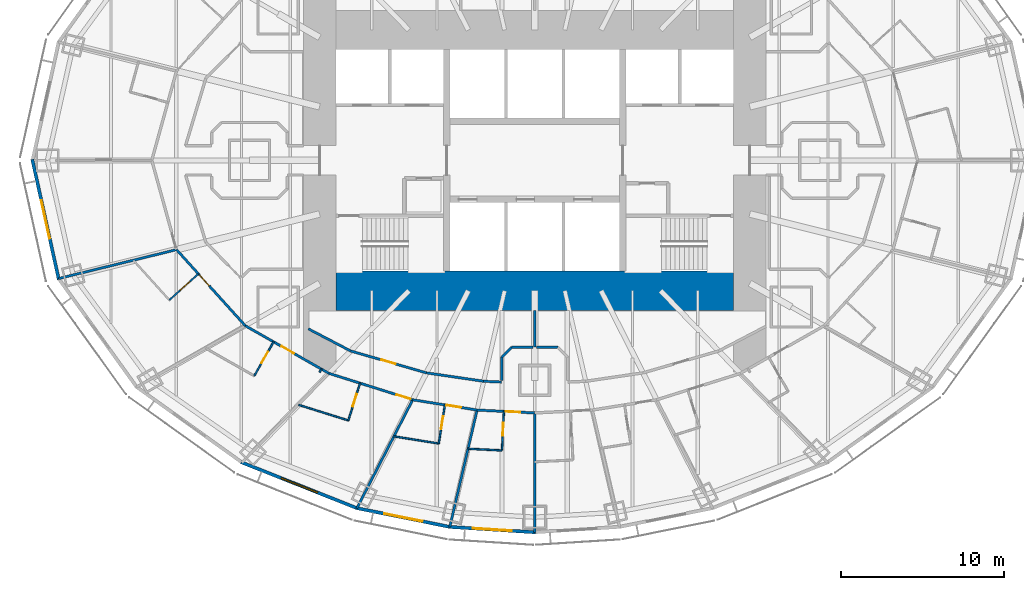
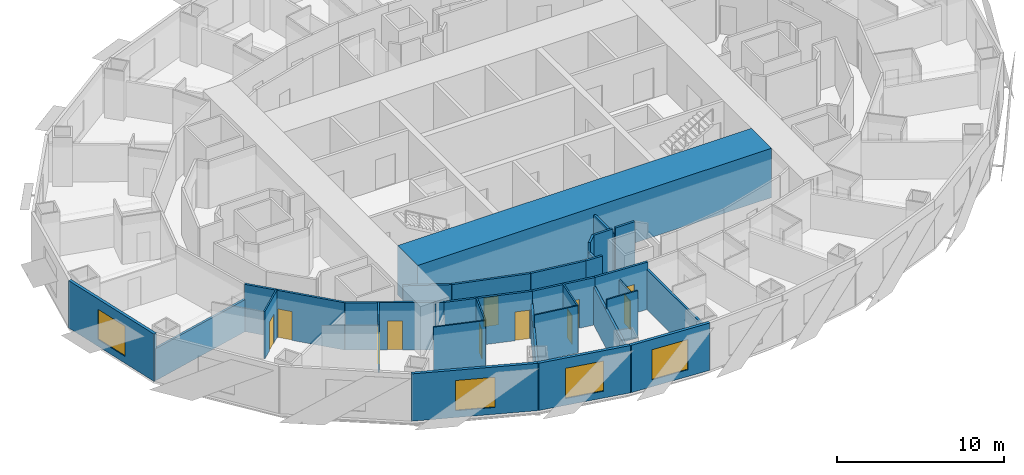
# One storey, part 5 of 17: 32 walls, 11 doors, 4 windows, 15 openings.
"""IFC4 building model written with IfcOpenShell, lengths in metres."""

from ifc_helpers import new_model, si_unit, direction, frame, frame_2d, origin, place, context, subcontext, project, spatial, rectangle, extrude, material, layer, layer_set, type_object, element, fill, save


model = new_model("IFC4")

# Units and contexts
model_context = context("Model", 3, precision=1e-05, world=origin(), true_north=direction((0.0, 1.0)))
body_context = subcontext(model_context, "Body", "Model", "MODEL_VIEW")
ifc_project = project(units=[si_unit("LENGTHUNIT", "METRE"), si_unit("AREAUNIT", "SQUARE_METRE"), si_unit("VOLUMEUNIT", "CUBIC_METRE"), si_unit("PLANEANGLEUNIT", "RADIAN"), si_unit("MASSUNIT", "GRAM", prefix="KILO")], contexts=[model_context])

# Site, building, storey
site_placement = place(None, origin())
site = spatial("IfcSite", under=ifc_project, at=site_placement, CompositionType="ELEMENT")
building_placement = place(site_placement, origin())
building = spatial("IfcBuilding", under=site, at=building_placement, Name="Lantaw Convention Tower", CompositionType="ELEMENT")
storey_placement = place(building_placement, frame((0.0, 0.0, 40.60009765625)))
storey = spatial("IfcBuildingStorey", under=building, at=storey_placement, Name="L07", CompositionType="ELEMENT", Elevation=40.60009765625)

# Walls
ifc_material_1 = material(Name="Gypsum board on steel studs", Category="steel")
ifc_layer_1 = layer(ifc_material_1, 0.14990234375)
ifc_layer_set_1 = layer_set([ifc_layer_1], Name="Back of house wall 150")
wall_type_1 = type_object("IfcWallType", Name="Back of house wall 150", PredefinedType="PARTITIONING", material=ifc_layer_set_1)
wall_1_placement = place(storey_placement, frame((0.0, -9.199951171875, 0.0), z_axis=(0.0, 0.0, 1.0), x_axis=(0.0, -1.0, 0.0)))
element("IfcWall", 1, at=wall_1_placement, inside=storey, type_object=wall_type_1, Name="Back of house wall 150", PredefinedType="PARTITIONING", context=body_context, shape_type="SweptSolid", body=[
    extrude(rectangle(XDim=2.26513671875, YDim=0.14990234375, at=frame_2d((1.132568359375, 0.0))), origin(), (0.0, 0.0, 1.0), 3.04345703125),
])
wall_2_placement = place(storey_placement, frame((-2.02490234375, -13.502685546875, 0.0), z_axis=(0.0, 0.0, 1.0), x_axis=(0.0, 1.0, 0.0)))
element("IfcWall", 2, at=wall_2_placement, inside=storey, type_object=wall_type_1, Name="Back of house wall 150", PredefinedType="PARTITIONING", context=body_context, shape_type="SweptSolid", body=[
    extrude(rectangle(XDim=1.42724609375, YDim=0.14990234375, at=frame_2d((0.713623046875, 0.0))), origin(), (0.0, 0.0, 1.0), 2.748779296875),
])
wall_3_placement = place(storey_placement, frame((-2.02490234375, -12.075439453125, 0.0), z_axis=(0.0, 0.0, 1.0), x_axis=(0.707106781187, 0.707106781187, 0.0)))
element("IfcWall", 3, at=wall_3_placement, inside=storey, type_object=wall_type_1, Name="Back of house wall 150", PredefinedType="PARTITIONING", context=body_context, shape_type="SweptSolid", body=[
    extrude(rectangle(XDim=0.84912109375, YDim=0.14990234375, at=frame_2d((0.424560546875, 0.0))), origin(), (0.0, 0.0, 1.0), 3.449951171875),
])
for number, where, z_axis, x_axis, name in (
    (4, (-1.424560546875, -11.47509765625, 0.0), (0.0, 0.0, 1.0), (1.0, 0.0, 0.0), "Back of house wall 150"),
    (5, (0.103271484375, -11.47509765625, 0.0), (0.0, 0.0, 1.0), (1.0, 0.0, 0.0), "Back of house wall 150"),
):
    element("IfcWall", number, at=place(storey_placement, frame(where, z_axis=z_axis, x_axis=x_axis)), inside=storey, type_object=wall_type_1, Name=name, PredefinedType="PARTITIONING", context=body_context, shape_type="SweptSolid", body=[
        extrude(rectangle(XDim=1.3212890625, YDim=0.14990234375, at=frame_2d((0.66064453125, 0.0))), origin(), (0.0, 0.0, 1.0), 3.449951171875),
    ])

# Wall, opening, door
ifc_material_2 = material(Name="Moisture resistant gypsum board on steel studs", Category="steel")
ifc_layer_2 = layer(ifc_material_2, 0.10009765625)
ifc_layer_set_2 = layer_set([ifc_layer_2], Name="Bathroom wall 100")
wall_type_2 = type_object("IfcWallType", Name="Bathroom wall 100", PredefinedType="PARTITIONING", material=ifc_layer_set_2)
wall_4_placement = place(storey_placement, frame((-20.640625, -6.96435546875, 0.0), z_axis=(0.0, 0.0, 1.0), x_axis=(-0.741861025859, -0.670553665496, 0.0)))
wall_4 = element("IfcWall", 6, at=wall_4_placement, inside=storey, type_object=wall_type_2, Name="Bathroom wall 100", PredefinedType="PARTITIONING", context=body_context, shape_type="SweptSolid", body=[
    extrude(rectangle(XDim=2.400146484375, YDim=0.10009765625, at=frame_2d((1.2001953125, 0.0))), origin(), (0.0, 0.0, 1.0), 3.449951171875),
])
opening_1_placement = place(wall_4_placement, frame((0.699951171875, 0.0, 0.0)))
opening_1 = element("IfcOpeningElement", 7, at=opening_1_placement, cuts=wall_4, Name="Opening L07.50", PredefinedType="OPENING", context=body_context, shape_type="SweptSolid", body=[
    extrude(rectangle(XDim=0.800048828125, YDim=2.10009765625, at=frame_2d((0.39990234375, 1.050048828125))), frame((0.0, 0.06005859375, 0.0), z_axis=(0.0, -1.0, 0.0), x_axis=(1.0, 0.0, 0.0)), (0.0, 0.0, 1.0), 0.1201171875),
])
ifc_material_3 = material(Name="Timber", Category="wood")
door_type_1 = type_object("IfcDoorType", Name="Bathroom door 800", OperationType="SINGLE_SWING_LEFT", PredefinedType="DOOR", material=ifc_material_3)
door_1_placement = place(opening_1_placement, origin())
door_1 = element("IfcDoor", 8, at=door_1_placement, inside=storey, type_object=door_type_1, Name="Bathroom door", OperationType="SINGLE_SWING_LEFT", OverallHeight=2.10009765625, OverallWidth=0.800048828125, PredefinedType="DOOR", context=body_context, shape_type="SweptSolid", body=[
    extrude(rectangle(XDim=0.800048828125, YDim=2.10009765625, at=frame_2d((0.39990234375, 1.050048828125))), frame((0.0, 0.02490234375, 0.0), z_axis=(0.0, -1.0, 0.0), x_axis=(1.0, 0.0, 0.0)), (0.0, 0.0, 1.0), 0.050048828125),
])
fill(opening_1, door_1)

wall_5_placement = place(storey_placement, frame((-16.023193359375, -11.138671875, 0.0), z_axis=(0.0, 0.0, 1.0), x_axis=(-0.494659381266, -0.869086932663, 0.0)))
wall_5 = element("IfcWall", 9, at=wall_5_placement, inside=storey, type_object=wall_type_2, Name="Bathroom wall 100", PredefinedType="PARTITIONING", context=body_context, shape_type="SweptSolid", body=[
    extrude(rectangle(XDim=2.400146484375, YDim=0.10009765625, at=frame_2d((1.2001953125, 0.0))), origin(), (0.0, 0.0, 1.0), 3.449951171875),
])
opening_2_placement = place(wall_5_placement, frame((0.699951171875, 0.0, 0.0)))
opening_2 = element("IfcOpeningElement", 10, at=opening_2_placement, cuts=wall_5, Name="Opening L07.52", PredefinedType="OPENING", context=body_context, shape_type="SweptSolid", body=[
    extrude(rectangle(XDim=0.800048828125, YDim=2.10009765625, at=frame_2d((0.39990234375, 1.050048828125))), frame((0.0, 0.06005859375, 0.0), z_axis=(0.0, -1.0, 0.0), x_axis=(1.0, 0.0, 0.0)), (0.0, 0.0, 1.0), 0.1201171875),
])
door_2_placement = place(opening_2_placement, origin())
door_2 = element("IfcDoor", 11, at=door_2_placement, inside=storey, type_object=door_type_1, Name="Bathroom door", OperationType="SINGLE_SWING_LEFT", OverallHeight=2.10009765625, OverallWidth=0.800048828125, PredefinedType="DOOR", context=body_context, shape_type="SweptSolid", body=[
    extrude(rectangle(XDim=0.800048828125, YDim=2.10009765625, at=frame_2d((0.39990234375, 1.050048828125))), frame((0.0, 0.02490234375, 0.0), z_axis=(0.0, -1.0, 0.0), x_axis=(1.0, 0.0, 0.0)), (0.0, 0.0, 1.0), 0.050048828125),
])
fill(opening_2, door_2)

wall_6_placement = place(storey_placement, frame((-10.71728515625, -13.67431640625, 0.0), z_axis=(0.0, 0.0, 1.0), x_axis=(-0.30049839721, -0.953782319649, 0.0)))
wall_6 = element("IfcWall", 12, at=wall_6_placement, inside=storey, type_object=wall_type_2, Name="Bathroom wall 100", PredefinedType="PARTITIONING", context=body_context, shape_type="SweptSolid", body=[
    extrude(rectangle(XDim=2.39990234375, YDim=0.10009765625, at=frame_2d((1.199951171875, 0.0))), origin(), (0.0, 0.0, 1.0), 3.449951171875),
])
opening_3_placement = place(wall_6_placement, frame((0.699951171875, 0.0, 0.0)))
opening_3 = element("IfcOpeningElement", 13, at=opening_3_placement, cuts=wall_6, Name="Opening L07.54", PredefinedType="OPENING", context=body_context, shape_type="SweptSolid", body=[
    extrude(rectangle(XDim=0.800048828125, YDim=2.10009765625, at=frame_2d((0.39990234375, 1.050048828125))), frame((0.0, 0.06005859375, 0.0), z_axis=(0.0, -1.0, 0.0), x_axis=(1.0, 0.0, 0.0)), (0.0, 0.0, 1.0), 0.1201171875),
])
door_3_placement = place(opening_3_placement, origin())
door_3 = element("IfcDoor", 14, at=door_3_placement, inside=storey, type_object=door_type_1, Name="Bathroom door", OperationType="SINGLE_SWING_LEFT", OverallHeight=2.10009765625, OverallWidth=0.800048828125, PredefinedType="DOOR", context=body_context, shape_type="SweptSolid", body=[
    extrude(rectangle(XDim=0.800048828125, YDim=2.10009765625, at=frame_2d((0.39990234375, 1.050048828125))), frame((0.0, 0.02490234375, 0.0), z_axis=(0.0, -1.0, 0.0), x_axis=(1.0, 0.0, 0.0)), (0.0, 0.0, 1.0), 0.050048828125),
])
fill(opening_3, door_3)

# Wall
wall_7_placement = place(storey_placement, frame((-11.4384765625, -15.96337890625, 0.0), z_axis=(0.0, 0.0, 1.0), x_axis=(-0.953784420519, 0.300491728963, 0.0)))
element("IfcWall", 15, at=wall_7_placement, inside=storey, type_object=wall_type_2, Name="Bathroom wall 100", PredefinedType="PARTITIONING", context=body_context, shape_type="SweptSolid", body=[
    extrude(rectangle(XDim=3.197021484375, YDim=0.10009765625, at=frame_2d((1.5986328125, 0.0))), origin(), (0.0, 0.0, 1.0), 3.449951171875),
])

# Wall, opening, door
wall_8_placement = place(storey_placement, frame((-5.51123046875, -15.008056640625, 0.0), z_axis=(0.0, 0.0, 1.0), x_axis=(-0.157780217218, -0.987474254376, 0.0)))
wall_8 = element("IfcWall", 16, at=wall_8_placement, inside=storey, type_object=wall_type_2, Name="Bathroom wall 100", PredefinedType="PARTITIONING", context=body_context, shape_type="SweptSolid", body=[
    extrude(rectangle(XDim=2.39990234375, YDim=0.10009765625, at=frame_2d((1.199951171875, 0.0))), origin(), (0.0, 0.0, 1.0), 3.449951171875),
])
opening_4_placement = place(wall_8_placement, frame((0.699951171875, 0.0, 0.0)))
opening_4 = element("IfcOpeningElement", 17, at=opening_4_placement, cuts=wall_8, Name="Opening L07.56", PredefinedType="OPENING", context=body_context, shape_type="SweptSolid", body=[
    extrude(rectangle(XDim=0.800048828125, YDim=2.10009765625, at=frame_2d((0.39990234375, 1.050048828125))), frame((0.0, 0.06005859375, 0.0), z_axis=(0.0, -1.0, 0.0), x_axis=(1.0, 0.0, 0.0)), (0.0, 0.0, 1.0), 0.1201171875),
])
door_4_placement = place(opening_4_placement, origin())
door_4 = element("IfcDoor", 18, at=door_4_placement, inside=storey, type_object=door_type_1, Name="Bathroom door", OperationType="SINGLE_SWING_LEFT", OverallHeight=2.10009765625, OverallWidth=0.800048828125, PredefinedType="DOOR", context=body_context, shape_type="SweptSolid", body=[
    extrude(rectangle(XDim=0.800048828125, YDim=2.10009765625, at=frame_2d((0.39990234375, 1.050048828125))), frame((0.0, 0.02490234375, 0.0), z_axis=(0.0, -1.0, 0.0), x_axis=(1.0, 0.0, 0.0)), (0.0, 0.0, 1.0), 0.050048828125),
])
fill(opening_4, door_4)

# Wall
wall_9_placement = place(storey_placement, frame((-5.889892578125, -17.3779296875, 0.0), z_axis=(0.0, 0.0, 1.0), x_axis=(-0.987476824576, 0.15776413067, 0.0)))
element("IfcWall", 19, at=wall_9_placement, inside=storey, type_object=wall_type_2, Name="Bathroom wall 100", PredefinedType="PARTITIONING", context=body_context, shape_type="SweptSolid", body=[
    extrude(rectangle(XDim=2.776123046875, YDim=0.10009765625, at=frame_2d((1.38818359375, 0.0))), origin(), (0.0, 0.0, 1.0), 3.449951171875),
])

# Wall, opening, door
wall_10_placement = place(storey_placement, frame((-1.8896484375, -15.40576171875, 0.0), z_axis=(0.0, 0.0, 1.0), x_axis=(-0.049947764234, -0.998751831462, 0.0)))
wall_10 = element("IfcWall", 20, at=wall_10_placement, inside=storey, type_object=wall_type_2, Name="Bathroom wall 100", PredefinedType="PARTITIONING", context=body_context, shape_type="SweptSolid", body=[
    extrude(rectangle(XDim=2.39990234375, YDim=0.10009765625, at=frame_2d((1.199951171875, 0.0))), origin(), (0.0, 0.0, 1.0), 2.748779296875),
])
opening_5_placement = place(wall_10_placement, frame((0.699951171875, 0.0, 0.0)))
opening_5 = element("IfcOpeningElement", 21, at=opening_5_placement, cuts=wall_10, Name="Opening L07.58", PredefinedType="OPENING", context=body_context, shape_type="SweptSolid", body=[
    extrude(rectangle(XDim=0.800048828125, YDim=2.10009765625, at=frame_2d((0.39990234375, 1.050048828125))), frame((0.0, 0.06005859375, 0.0), z_axis=(0.0, -1.0, 0.0), x_axis=(1.0, 0.0, 0.0)), (0.0, 0.0, 1.0), 0.1201171875),
])
door_5_placement = place(opening_5_placement, origin())
door_5 = element("IfcDoor", 22, at=door_5_placement, inside=storey, type_object=door_type_1, Name="Bathroom door", OperationType="SINGLE_SWING_LEFT", OverallHeight=2.10009765625, OverallWidth=0.800048828125, PredefinedType="DOOR", context=body_context, shape_type="SweptSolid", body=[
    extrude(rectangle(XDim=0.800048828125, YDim=2.10009765625, at=frame_2d((0.39990234375, 1.050048828125))), frame((0.0, 0.02490234375, 0.0), z_axis=(0.0, -1.0, 0.0), x_axis=(1.0, 0.0, 0.0)), (0.0, 0.0, 1.0), 0.050048828125),
])
fill(opening_5, door_5)

# Walls
wall_11_placement = place(storey_placement, frame((-2.009521484375, -17.802734375, 0.0), z_axis=(0.0, 0.0, 1.0), x_axis=(-0.998754095132, 0.049902479477, 0.0)))
element("IfcWall", 23, at=wall_11_placement, inside=storey, type_object=wall_type_2, Name="Bathroom wall 100", PredefinedType="PARTITIONING", context=body_context, shape_type="SweptSolid", body=[
    extrude(rectangle(XDim=2.079345703125, YDim=0.10009765625, at=frame_2d((1.03955078125, 0.0))), origin(), (0.0, 0.0, 1.0), 3.449951171875),
])
ifc_material_4 = material(Name="Concrete C60/75", Category="concrete")
ifc_layer_3 = layer(ifc_material_4, 2.39990234375)
ifc_layer_set_3 = layer_set([ifc_layer_3], Name="Core wall 2400")
wall_type_3 = type_object("IfcWallType", Name="Core wall 2400", PredefinedType="SHEAR", material=ifc_layer_set_3)
wall_12_placement = place(storey_placement, frame((-12.199951171875, -8.0, 0.0), z_axis=(0.0, 0.0, 1.0), x_axis=(1.0, 0.0, 0.0)))
element("IfcWall", 24, at=wall_12_placement, inside=storey, type_object=wall_type_3, Name="Core wall S", PredefinedType="SHEAR", context=body_context, shape_type="SweptSolid", body=[
    extrude(rectangle(XDim=24.39990234375, YDim=2.39990234375, at=frame_2d((12.199951171875, 0.0))), origin(), (0.0, 0.0, 1.0), 3.599853515625),
])

# Wall, opening, door
ifc_material_5 = material(Name="Gypsum board on steel studs, fire rated", Category="steel")
ifc_layer_4 = layer(ifc_material_5, 0.14990234375)
ifc_layer_set_4 = layer_set([ifc_layer_4], Name="Corridor wall 150 EI 60")
wall_type_4 = type_object("IfcWallType", Name="Corridor wall 150 EI 60", PredefinedType="PARTITIONING", material=ifc_layer_set_4)
wall_13_placement = place(storey_placement, frame((-21.98193359375, -5.480712890625, 0.0), z_axis=(0.0, 0.0, 1.0), x_axis=(0.670598380282, -0.741820606591, 0.0)))
wall_13 = element("IfcWall", 25, at=wall_13_placement, inside=storey, type_object=wall_type_4, Name="Corridor wall 150", PredefinedType="PARTITIONING", context=body_context, shape_type="SweptSolid", body=[
    extrude(rectangle(XDim=6.29345703125, YDim=0.14990234375, at=frame_2d((3.146728515625, 0.0))), origin(), (0.0, 0.0, 1.0), 3.449951171875),
])
opening_6_placement = place(wall_13_placement, frame((2.10009765625, 0.0, 0.0)))
opening_6 = element("IfcOpeningElement", 26, at=opening_6_placement, cuts=wall_13, Name="Opening L07.51", PredefinedType="OPENING", context=body_context, shape_type="SweptSolid", body=[
    extrude(rectangle(XDim=0.89990234375, YDim=2.10009765625, at=frame_2d((0.449951171875, 1.050048828125))), frame((0.0, 0.0849609375, 0.0), z_axis=(0.0, -1.0, 0.0), x_axis=(1.0, 0.0, 0.0)), (0.0, 0.0, 1.0), 0.169921875),
])
ifc_material_6 = material(Name="Steel, fire rated", Category="steel")
door_type_2 = type_object("IfcDoorType", Name="Guest room entrance door FD30S", OperationType="SINGLE_SWING_LEFT", PredefinedType="DOOR", material=ifc_material_6)
door_6_placement = place(opening_6_placement, origin())
door_6 = element("IfcDoor", 27, at=door_6_placement, inside=storey, type_object=door_type_2, Name="Guest room entrance door", OperationType="SINGLE_SWING_LEFT", OverallHeight=2.10009765625, OverallWidth=0.89990234375, PredefinedType="DOOR", context=body_context, shape_type="SweptSolid", body=[
    extrude(rectangle(XDim=0.89990234375, YDim=2.10009765625, at=frame_2d((0.449951171875, 1.050048828125))), frame((0.0, 0.02490234375, 0.0), z_axis=(0.0, -1.0, 0.0), x_axis=(1.0, 0.0, 0.0)), (0.0, 0.0, 1.0), 0.050048828125),
])
fill(opening_6, door_6)

wall_14_placement = place(storey_placement, frame((-17.761474609375, -10.1494140625, 0.0), z_axis=(0.0, 0.0, 1.0), x_axis=(0.86907565943, -0.494679187136, 0.0)))
wall_14 = element("IfcWall", 28, at=wall_14_placement, inside=storey, type_object=wall_type_4, Name="Corridor wall 150", PredefinedType="PARTITIONING", context=body_context, shape_type="SweptSolid", body=[
    extrude(rectangle(XDim=5.91064453125, YDim=0.14990234375, at=frame_2d((2.955322265625, 0.0))), origin(), (0.0, 0.0, 1.0), 3.449951171875),
])
opening_7_placement = place(wall_14_placement, frame((2.550048828125, 0.0, 0.0)))
opening_7 = element("IfcOpeningElement", 29, at=opening_7_placement, cuts=wall_14, Name="Opening L07.53", PredefinedType="OPENING", context=body_context, shape_type="SweptSolid", body=[
    extrude(rectangle(XDim=0.89990234375, YDim=2.10009765625, at=frame_2d((0.449951171875, 1.050048828125))), frame((0.0, 0.0849609375, 0.0), z_axis=(0.0, -1.0, 0.0), x_axis=(1.0, 0.0, 0.0)), (0.0, 0.0, 1.0), 0.169921875),
])
door_7_placement = place(opening_7_placement, origin())
door_7 = element("IfcDoor", 30, at=door_7_placement, inside=storey, type_object=door_type_2, Name="Guest room entrance door", OperationType="SINGLE_SWING_LEFT", OverallHeight=2.10009765625, OverallWidth=0.89990234375, PredefinedType="DOOR", context=body_context, shape_type="SweptSolid", body=[
    extrude(rectangle(XDim=0.89990234375, YDim=2.10009765625, at=frame_2d((0.449951171875, 1.050048828125))), frame((0.0, 0.02490234375, 0.0), z_axis=(0.0, -1.0, 0.0), x_axis=(1.0, 0.0, 0.0)), (0.0, 0.0, 1.0), 0.050048828125),
])
fill(opening_7, door_7)

wall_15_placement = place(storey_placement, frame((-12.624755859375, -13.0732421875, 0.0), z_axis=(0.0, 0.0, 1.0), x_axis=(0.953774229808, -0.30052407317, 0.0)))
wall_15 = element("IfcWall", 31, at=wall_15_placement, inside=storey, type_object=wall_type_4, Name="Corridor wall 150", PredefinedType="PARTITIONING", context=body_context, shape_type="SweptSolid", body=[
    extrude(rectangle(XDim=5.3876953125, YDim=0.14990234375, at=frame_2d((2.69384765625, 0.0))), origin(), (0.0, 0.0, 1.0), 3.449951171875),
])
opening_8_placement = place(wall_15_placement, frame((4.337646484375, 0.0, 0.0)))
opening_8 = element("IfcOpeningElement", 32, at=opening_8_placement, cuts=wall_15, Name="Opening L07.55", PredefinedType="OPENING", context=body_context, shape_type="SweptSolid", body=[
    extrude(rectangle(XDim=0.89990234375, YDim=2.10009765625, at=frame_2d((0.449951171875, 1.050048828125))), frame((0.0, 0.0849609375, 0.0), z_axis=(0.0, -1.0, 0.0), x_axis=(1.0, 0.0, 0.0)), (0.0, 0.0, 1.0), 0.169921875),
])
door_8_placement = place(opening_8_placement, origin())
door_8 = element("IfcDoor", 33, at=door_8_placement, inside=storey, type_object=door_type_2, Name="Guest room entrance door", OperationType="SINGLE_SWING_LEFT", OverallHeight=2.10009765625, OverallWidth=0.89990234375, PredefinedType="DOOR", context=body_context, shape_type="SweptSolid", body=[
    extrude(rectangle(XDim=0.89990234375, YDim=2.10009765625, at=frame_2d((0.449951171875, 1.050048828125))), frame((0.0, 0.02490234375, 0.0), z_axis=(0.0, -1.0, 0.0), x_axis=(1.0, 0.0, 0.0)), (0.0, 0.0, 1.0), 0.050048828125),
])
fill(opening_8, door_8)

wall_16_placement = place(storey_placement, frame((-7.486083984375, -14.6923828125, 0.0), z_axis=(0.0, 0.0, 1.0), x_axis=(0.987475660646, -0.157771415761, 0.0)))
wall_16 = element("IfcWall", 34, at=wall_16_placement, inside=storey, type_object=wall_type_4, Name="Corridor wall 150", PredefinedType="PARTITIONING", context=body_context, shape_type="SweptSolid", body=[
    extrude(rectangle(XDim=3.99853515625, YDim=0.14990234375, at=frame_2d((1.999267578125, 0.0))), origin(), (0.0, 0.0, 1.0), 3.449951171875),
])
opening_9_placement = place(wall_16_placement, frame((2.10009765625, 0.0, 0.0)))
opening_9 = element("IfcOpeningElement", 35, at=opening_9_placement, cuts=wall_16, Name="Opening L07.57", PredefinedType="OPENING", context=body_context, shape_type="SweptSolid", body=[
    extrude(rectangle(XDim=0.89990234375, YDim=2.10009765625, at=frame_2d((0.449951171875, 1.050048828125))), frame((0.0, 0.0849609375, 0.0), z_axis=(0.0, -1.0, 0.0), x_axis=(1.0, 0.0, 0.0)), (0.0, 0.0, 1.0), 0.169921875),
])
door_9_placement = place(opening_9_placement, origin())
door_9 = element("IfcDoor", 36, at=door_9_placement, inside=storey, type_object=door_type_2, Name="Guest room entrance door", OperationType="SINGLE_SWING_LEFT", OverallHeight=2.10009765625, OverallWidth=0.89990234375, PredefinedType="DOOR", context=body_context, shape_type="SweptSolid", body=[
    extrude(rectangle(XDim=0.89990234375, YDim=2.10009765625, at=frame_2d((0.449951171875, 1.050048828125))), frame((0.0, 0.02490234375, 0.0), z_axis=(0.0, -1.0, 0.0), x_axis=(1.0, 0.0, 0.0)), (0.0, 0.0, 1.0), 0.050048828125),
])
fill(opening_9, door_9)

wall_17_placement = place(storey_placement, frame((-3.53759765625, -15.3232421875, 0.0), z_axis=(0.0, 0.0, 1.0), x_axis=(0.998754057167, -0.049903239295, 0.0)))
wall_17 = element("IfcWall", 37, at=wall_17_placement, inside=storey, type_object=wall_type_4, Name="Corridor wall 150", PredefinedType="PARTITIONING", context=body_context, shape_type="SweptSolid", body=[
    extrude(rectangle(XDim=3.5419921875, YDim=0.14990234375, at=frame_2d((1.77099609375, 0.0))), origin(), (0.0, 0.0, 1.0), 3.449951171875),
])
opening_10_placement = place(wall_17_placement, frame((1.75, 0.0, 0.0)))
opening_10 = element("IfcOpeningElement", 38, at=opening_10_placement, cuts=wall_17, Name="Opening L07.59", PredefinedType="OPENING", context=body_context, shape_type="SweptSolid", body=[
    extrude(rectangle(XDim=0.89990234375, YDim=2.10009765625, at=frame_2d((0.449951171875, 1.050048828125))), frame((0.0, 0.0849609375, 0.0), z_axis=(0.0, -1.0, 0.0), x_axis=(1.0, 0.0, 0.0)), (0.0, 0.0, 1.0), 0.169921875),
])
door_10_placement = place(opening_10_placement, origin())
door_10 = element("IfcDoor", 39, at=door_10_placement, inside=storey, type_object=door_type_2, Name="Guest room entrance door", OperationType="SINGLE_SWING_LEFT", OverallHeight=2.10009765625, OverallWidth=0.89990234375, PredefinedType="DOOR", context=body_context, shape_type="SweptSolid", body=[
    extrude(rectangle(XDim=0.89990234375, YDim=2.10009765625, at=frame_2d((0.449951171875, 1.050048828125))), frame((0.0, 0.02490234375, 0.0), z_axis=(0.0, -1.0, 0.0), x_axis=(1.0, 0.0, 0.0)), (0.0, 0.0, 1.0), 0.050048828125),
])
fill(opening_10, door_10)

wall_18_placement = place(storey_placement, frame((-11.296142578125, -11.697509765625, 0.0), z_axis=(0.0, 0.0, 1.0), x_axis=(0.960678318068, -0.277663770041, 0.0)))
wall_18 = element("IfcWall", 40, at=wall_18_placement, inside=storey, type_object=wall_type_4, Name="Corridor wall 150", PredefinedType="PARTITIONING", context=body_context, shape_type="SweptSolid", body=[
    extrude(rectangle(XDim=4.84130859375, YDim=0.14990234375, at=frame_2d((2.420654296875, 0.0))), origin(), (0.0, 0.0, 1.0), 3.449951171875),
])
opening_11_placement = place(wall_18_placement, frame((1.970703125, 0.0, 0.0)))
opening_11 = element("IfcOpeningElement", 41, at=opening_11_placement, cuts=wall_18, Name="Opening L07.21", PredefinedType="OPENING", context=body_context, shape_type="SweptSolid", body=[
    extrude(rectangle(XDim=0.89990234375, YDim=2.10009765625, at=frame_2d((0.449951171875, 1.050048828125))), frame((0.0, 0.0849609375, 0.0), z_axis=(0.0, -1.0, 0.0), x_axis=(1.0, 0.0, 0.0)), (0.0, 0.0, 1.0), 0.169921875),
])
door_type_3 = type_object("IfcDoorType", Name="Service door 900 FD30", OperationType="SINGLE_SWING_LEFT", PredefinedType="DOOR", material=ifc_material_6)
door_11_placement = place(opening_11_placement, origin())
door_11 = element("IfcDoor", 42, at=door_11_placement, inside=storey, type_object=door_type_3, Name="Staff locker room door", OperationType="SINGLE_SWING_LEFT", OverallHeight=2.10009765625, OverallWidth=0.89990234375, PredefinedType="DOOR", context=body_context, shape_type="SweptSolid", body=[
    extrude(rectangle(XDim=0.89990234375, YDim=2.10009765625, at=frame_2d((0.449951171875, 1.050048828125))), frame((0.0, 0.02490234375, 0.0), z_axis=(0.0, -1.0, 0.0), x_axis=(1.0, 0.0, 0.0)), (0.0, 0.0, 1.0), 0.050048828125),
])
fill(opening_11, door_11)

# Walls
wall_19_placement = place(storey_placement, frame((-6.645263671875, -13.041748046875, 0.0), z_axis=(0.0, 0.0, 1.0), x_axis=(0.989443047021, -0.14492224364, 0.0)))
element("IfcWall", 43, at=wall_19_placement, inside=storey, type_object=wall_type_4, Name="Corridor wall 150", PredefinedType="PARTITIONING", context=body_context, shape_type="SweptSolid", body=[
    extrude(rectangle(XDim=3.552978515625, YDim=0.14990234375, at=frame_2d((1.7763671875, 0.0))), origin(), (0.0, 0.0, 1.0), 3.449951171875),
])
wall_20_placement = place(storey_placement, frame((-13.889892578125, -10.342041015625, 0.0), z_axis=(0.0, 0.0, 1.0), x_axis=(0.886275255135, -0.463158905922, 0.0)))
element("IfcWall", 44, at=wall_20_placement, inside=storey, type_object=wall_type_4, Name="Corridor wall 150", PredefinedType="PARTITIONING", context=body_context, shape_type="SweptSolid", body=[
    extrude(rectangle(XDim=2.926513671875, YDim=0.14990234375, at=frame_2d((1.46337890625, 0.0))), origin(), (0.0, 0.0, 1.0), 3.449951171875),
])
wall_21_placement = place(storey_placement, frame((-3.1298828125, -13.556640625, 0.0), z_axis=(0.0, 0.0, 1.0), x_axis=(0.998946843147, -0.045882508292, 0.0)))
element("IfcWall", 45, at=wall_21_placement, inside=storey, type_object=wall_type_4, Name="Corridor wall 150", PredefinedType="PARTITIONING", context=body_context, shape_type="SweptSolid", body=[
    extrude(rectangle(XDim=1.09619140625, YDim=0.14990234375, at=frame_2d((0.548095703125, 0.0))), origin(), (0.0, 0.0, 1.0), 3.449951171875),
])

# Wall, opening, window
ifc_material_7 = material(Name="Insulated aluminium panel on steel frame", Category="steel")
ifc_layer_5 = layer(ifc_material_7, 0.199951171875)
ifc_layer_set_5 = layer_set([ifc_layer_5], Name="External wall 200")
wall_type_5 = type_object("IfcWallType", Name="External wall 200", PredefinedType="SOLIDWALL", material=ifc_layer_set_5)
wall_22_placement = place(storey_placement, frame((-30.83544921875, 0.06689453125, 0.0), z_axis=(0.0, 0.0, 1.0), x_axis=(0.215238065514, -0.976561608478, 0.0)))
wall_22 = element("IfcWall", 46, at=wall_22_placement, inside=storey, type_object=wall_type_5, Name="Facade panel wall", PredefinedType="SOLIDWALL", context=body_context, shape_type="SweptSolid", body=[
    extrude(rectangle(XDim=7.562255859375, YDim=0.199951171875, at=frame_2d((3.78125, 0.0))), origin(), (0.0, 0.0, 1.0), 3.449951171875),
])
opening_12_placement = place(wall_22_placement, frame((2.581298828125, 0.0, 0.5)))
opening_12 = element("IfcOpeningElement", 47, at=opening_12_placement, cuts=wall_22, Name="Opening W1", PredefinedType="OPENING", context=body_context, shape_type="SweptSolid", body=[
    extrude(rectangle(XDim=2.39990234375, YDim=2.199951171875, at=frame_2d((1.199951171875, 1.10009765625))), frame((0.0, 0.10986328125, 0.0), z_axis=(0.0, -1.0, 0.0), x_axis=(1.0, 0.0, 0.0)), (0.0, 0.0, 1.0), 0.219970703125),
])
ifc_material_8 = material(Name="Aluminium frame, clear insulating glass", Category="aluminium")
window_type = type_object("IfcWindowType", Name="Guest room window 2400x2200", PartitioningType="SINGLE_PANEL", PredefinedType="WINDOW", material=ifc_material_8)
window_1_placement = place(opening_12_placement, origin())
window_1 = element("IfcWindow", 48, at=window_1_placement, inside=storey, type_object=window_type, Name="Guest room window", OverallHeight=2.199951171875, OverallWidth=2.39990234375, PartitioningType="SINGLE_PANEL", PredefinedType="WINDOW", context=body_context, shape_type="SweptSolid", body=[
    extrude(rectangle(XDim=2.39990234375, YDim=2.199951171875, at=frame_2d((1.199951171875, 1.10009765625))), frame((0.0, 0.030029296875, 0.0), z_axis=(0.0, -1.0, 0.0), x_axis=(1.0, 0.0, 0.0)), (0.0, 0.0, 1.0), 0.06005859375),
])
fill(opening_12, window_1)

wall_23_placement = place(storey_placement, frame((-18.018310546875, -18.522705078125, 0.0), z_axis=(0.0, 0.0, 1.0), x_axis=(0.929358351251, -0.369178892895, 0.0)))
wall_23 = element("IfcWall", 49, at=wall_23_placement, inside=storey, type_object=wall_type_5, Name="Facade panel wall", PredefinedType="SOLIDWALL", context=body_context, shape_type="SweptSolid", body=[
    extrude(rectangle(XDim=7.6923828125, YDim=0.199951171875, at=frame_2d((3.84619140625, 0.0))), origin(), (0.0, 0.0, 1.0), 3.449951171875),
])
opening_13_placement = place(wall_23_placement, frame((2.64599609375, 0.0, 0.5)))
opening_13 = element("IfcOpeningElement", 50, at=opening_13_placement, cuts=wall_23, Name="Opening W1", PredefinedType="OPENING", context=body_context, shape_type="SweptSolid", body=[
    extrude(rectangle(XDim=2.39990234375, YDim=2.199951171875, at=frame_2d((1.199951171875, 1.10009765625))), frame((0.0, 0.10986328125, 0.0), z_axis=(0.0, -1.0, 0.0), x_axis=(1.0, 0.0, 0.0)), (0.0, 0.0, 1.0), 0.219970703125),
])
window_2_placement = place(opening_13_placement, origin())
window_2 = element("IfcWindow", 51, at=window_2_placement, inside=storey, type_object=window_type, Name="Guest room window", OverallHeight=2.199951171875, OverallWidth=2.39990234375, PartitioningType="SINGLE_PANEL", PredefinedType="WINDOW", context=body_context, shape_type="SweptSolid", body=[
    extrude(rectangle(XDim=2.39990234375, YDim=2.199951171875, at=frame_2d((1.199951171875, 1.10009765625))), frame((0.0, 0.030029296875, 0.0), z_axis=(0.0, -1.0, 0.0), x_axis=(1.0, 0.0, 0.0)), (0.0, 0.0, 1.0), 0.06005859375),
])
fill(opening_13, window_2)

wall_24_placement = place(storey_placement, frame((-10.956787109375, -21.336669921875, 0.0), z_axis=(0.0, 0.0, 1.0), x_axis=(0.980251657452, -0.197754110105, 0.0)))
wall_24 = element("IfcWall", 52, at=wall_24_placement, inside=storey, type_object=wall_type_5, Name="Facade panel wall", PredefinedType="SOLIDWALL", context=body_context, shape_type="SweptSolid", body=[
    extrude(rectangle(XDim=5.90380859375, YDim=0.199951171875, at=frame_2d((2.951904296875, 0.0))), origin(), (0.0, 0.0, 1.0), 3.449951171875),
])
opening_14_placement = place(wall_24_placement, frame((1.751708984375, 0.0, 0.5)))
opening_14 = element("IfcOpeningElement", 53, at=opening_14_placement, cuts=wall_24, Name="Opening W1", PredefinedType="OPENING", context=body_context, shape_type="SweptSolid", body=[
    extrude(rectangle(XDim=2.39990234375, YDim=2.199951171875, at=frame_2d((1.199951171875, 1.10009765625))), frame((0.0, 0.10986328125, 0.0), z_axis=(0.0, -1.0, 0.0), x_axis=(1.0, 0.0, 0.0)), (0.0, 0.0, 1.0), 0.219970703125),
])
window_3_placement = place(opening_14_placement, origin())
window_3 = element("IfcWindow", 54, at=window_3_placement, inside=storey, type_object=window_type, Name="Guest room window", OverallHeight=2.199951171875, OverallWidth=2.39990234375, PartitioningType="SINGLE_PANEL", PredefinedType="WINDOW", context=body_context, shape_type="SweptSolid", body=[
    extrude(rectangle(XDim=2.39990234375, YDim=2.199951171875, at=frame_2d((1.199951171875, 1.10009765625))), frame((0.0, 0.030029296875, 0.0), z_axis=(0.0, -1.0, 0.0), x_axis=(1.0, 0.0, 0.0)), (0.0, 0.0, 1.0), 0.06005859375),
])
fill(opening_14, window_3)

wall_25_placement = place(storey_placement, frame((-5.252685546875, -22.493408203125, 0.0), z_axis=(0.0, 0.0, 1.0), x_axis=(0.998018582375, -0.062919863585, 0.0)))
wall_25 = element("IfcWall", 55, at=wall_25_placement, inside=storey, type_object=wall_type_5, Name="Facade panel wall", PredefinedType="SOLIDWALL", context=body_context, shape_type="SweptSolid", body=[
    extrude(rectangle(XDim=5.30419921875, YDim=0.199951171875, at=frame_2d((2.652099609375, 0.0))), origin(), (0.0, 0.0, 1.0), 3.449951171875),
])
opening_15_placement = place(wall_25_placement, frame((1.4521484375, 0.0, 0.5)))
opening_15 = element("IfcOpeningElement", 56, at=opening_15_placement, cuts=wall_25, Name="Opening W1", PredefinedType="OPENING", context=body_context, shape_type="SweptSolid", body=[
    extrude(rectangle(XDim=2.39990234375, YDim=2.199951171875, at=frame_2d((1.199951171875, 1.10009765625))), frame((0.0, 0.10986328125, 0.0), z_axis=(0.0, -1.0, 0.0), x_axis=(1.0, 0.0, 0.0)), (0.0, 0.0, 1.0), 0.219970703125),
])
window_4_placement = place(opening_15_placement, origin())
window_4 = element("IfcWindow", 57, at=window_4_placement, inside=storey, type_object=window_type, Name="Guest room window", OverallHeight=2.199951171875, OverallWidth=2.39990234375, PartitioningType="SINGLE_PANEL", PredefinedType="WINDOW", context=body_context, shape_type="SweptSolid", body=[
    extrude(rectangle(XDim=2.39990234375, YDim=2.199951171875, at=frame_2d((1.199951171875, 1.10009765625))), frame((0.0, 0.030029296875, 0.0), z_axis=(0.0, -1.0, 0.0), x_axis=(1.0, 0.0, 0.0)), (0.0, 0.0, 1.0), 0.06005859375),
])
fill(opening_15, window_4)

# Walls
ifc_material_9 = material(Name="Gypsum board on steel studs, acoustic", Category="steel")
ifc_layer_6 = layer(ifc_material_9, 0.14990234375)
ifc_layer_set_6 = layer_set([ifc_layer_6], Name="Guest room party wall 150")
wall_type_6 = type_object("IfcWallType", Name="Guest room party wall 150", PredefinedType="PARTITIONING", material=ifc_layer_set_6)
wall_26_placement = place(storey_placement, frame((-29.221923828125, -7.253662109375, 0.0), z_axis=(0.0, 0.0, 1.0), x_axis=(0.97130070913, 0.237854855832, 0.0)))
element("IfcWall", 58, at=wall_26_placement, inside=storey, type_object=wall_type_6, Name="Guest room party wall 150", PredefinedType="PARTITIONING", context=body_context, shape_type="SweptSolid", body=[
    extrude(rectangle(XDim=7.453857421875, YDim=0.14990234375, at=frame_2d((3.72705078125, 0.0))), origin(), (0.0, 0.0, 1.0), 2.332275390625),
])
wall_27_placement = place(storey_placement, frame((-10.911865234375, -21.345703125, 0.0), z_axis=(0.0, 0.0, 1.0), x_axis=(0.45777845119, 0.889066302154, 0.0)))
element("IfcWall", 59, at=wall_27_placement, inside=storey, type_object=wall_type_6, Name="Guest room party wall 150", PredefinedType="PARTITIONING", context=body_context, shape_type="SweptSolid", body=[
    extrude(rectangle(XDim=7.4833984375, YDim=0.14990234375, at=frame_2d((3.74169921875, 0.0))), origin(), (0.0, 0.0, 1.0), 2.52783203125),
])
wall_28_placement = place(storey_placement, frame((-5.2109375, -22.495849609375, 0.0), z_axis=(0.0, 0.0, 1.0), x_axis=(0.227195035564, 0.973849277771, 0.0)))
element("IfcWall", 60, at=wall_28_placement, inside=storey, type_object=wall_type_6, Name="Guest room party wall 150", PredefinedType="PARTITIONING", context=body_context, shape_type="SweptSolid", body=[
    extrude(rectangle(XDim=7.365234375, YDim=0.14990234375, at=frame_2d((3.6826171875, 0.0))), origin(), (0.0, 0.0, 1.0), 2.7666015625),
])
wall_29_placement = place(storey_placement, frame((0.0, -22.82470703125, 0.0), z_axis=(0.0, 0.0, 1.0), x_axis=(0.0, 1.0, 0.0)))
element("IfcWall", 61, at=wall_29_placement, inside=storey, type_object=wall_type_6, Name="Guest room party wall 150", PredefinedType="PARTITIONING", context=body_context, shape_type="SweptSolid", body=[
    extrude(rectangle(XDim=7.32470703125, YDim=0.14990234375, at=frame_2d((3.662353515625, 0.0))), origin(), (0.0, 0.0, 1.0), 2.924072265625),
])
ifc_layer_7 = layer(ifc_material_9, 0.10009765625)
ifc_layer_set_7 = layer_set([ifc_layer_7], Name="Office partition 100")
wall_type_7 = type_object("IfcWallType", Name="Office partition 100", PredefinedType="PARTITIONING", material=ifc_layer_set_7)
wall_30_placement = place(storey_placement, frame((-13.199951171875, -13.0, 0.0), z_axis=(0.0, 0.0, 1.0), x_axis=(0.49435138335, 0.869262164011, 0.0)))
element("IfcWall", 62, at=wall_30_placement, inside=storey, type_object=wall_type_7, Name="Office partition 100", PredefinedType="PARTITIONING", context=body_context, shape_type="SweptSolid", body=[
    extrude(rectangle(XDim=0.220703125, YDim=0.10009765625, at=frame_2d((0.1103515625, 0.0))), origin(), (0.0, 0.0, 1.0), 3.449951171875),
])

save(model, "model.ifc")
